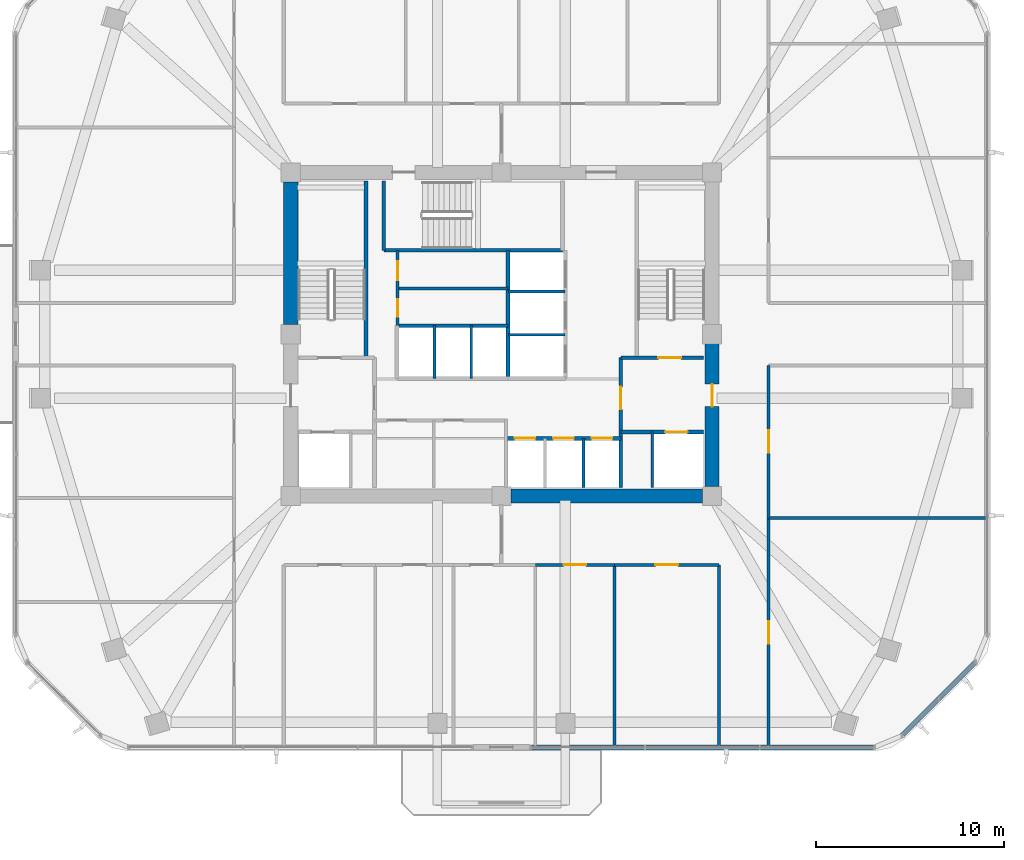
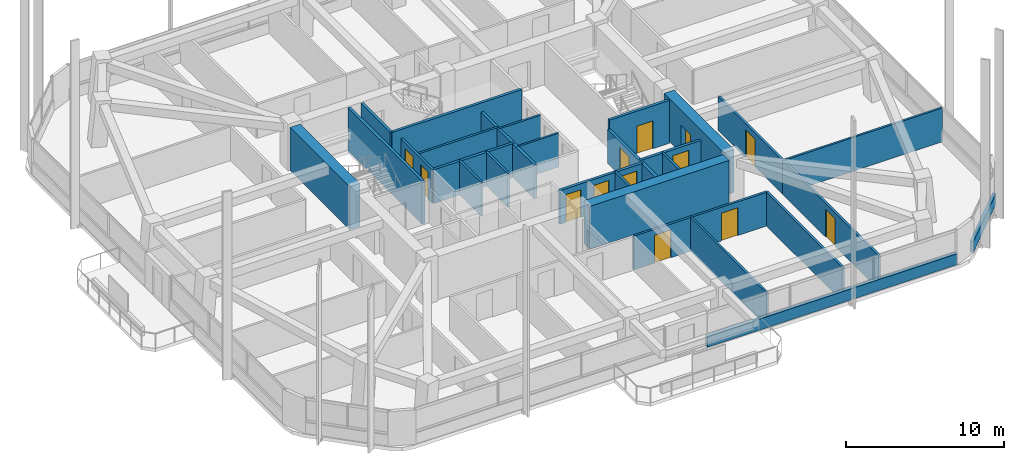
# One storey, part 9 of 15: 29 walls, 13 doors, 13 openings.
"""IFC4 building model written with IfcOpenShell, lengths in metres."""

import ifcopenshell
import ifcopenshell.guid

model = None  # the IFC model being written
_history = None  # IfcOwnerHistory: only IFC2X3 demands one
_inside = {}  # id of a spatial element -> (the spatial element, [elements in it])
_under = {}  # id of a project, library or spatial element -> (it, [spatial elements below it])
_declared = {}  # id of a project -> (the project, [libraries it declares])
_typed = {}  # id of a type object -> (the type object, [elements of that type])
_made_of = {}  # id of a material, layer set ... -> (it, [elements and type objects made of it])


def new_model(schema):
    """Start an empty IFC model of exactly this schema.

    Asked for "IFC4X3", IfcOpenShell would pick the latest addendum, in which some entities
    have other attributes; the version numbers below select the first issue.
    IFC2X3 requires an IfcOwnerHistory on every rooted entity: one is made here for all.
    """
    global model, _history
    if schema == "IFC4X3":
        model = ifcopenshell.file(schema_version=(4, 3, 0, 0))
    else:
        model = ifcopenshell.file(schema=schema)
    _inside.clear()
    _under.clear()
    _declared.clear()
    _typed.clear()
    _made_of.clear()
    _history = None
    if model.schema == "IFC2X3":
        org = make("IfcOrganization", Name="unknown")
        user = make(
            "IfcPersonAndOrganization",
            ThePerson=make("IfcPerson", FamilyName="unknown"),
            TheOrganization=org,
        )
        app = make(
            "IfcApplication",
            ApplicationDeveloper=org,
            Version="unknown",
            ApplicationFullName="unknown",
            ApplicationIdentifier="unknown",
        )
        _history = make(
            "IfcOwnerHistory",
            OwningUser=user,
            OwningApplication=app,
            ChangeAction="ADDED",
            CreationDate=0,
        )
    return model


def make(cls, **values):
    """One entity of the class cls with the attributes given. An attribute that is None is left unset."""
    return model.create_entity(
        cls, **{name: value for name, value in values.items() if value is not None}
    )


def rooted(cls, **values):
    """An entity with a GlobalId (a new one), such as an element, a storey or a relation."""
    return make(cls, GlobalId=ifcopenshell.guid.new(), OwnerHistory=_history, **values)


def si_unit(unit_type, name, prefix=None):
    """IfcSIUnit, for example si_unit("LENGTHUNIT", "METRE", prefix="MILLI")."""
    return make("IfcSIUnit", UnitType=unit_type, Prefix=prefix, Name=name)


def derived_unit(unit_type, elements):
    """IfcDerivedUnit: a product of units, each with its exponent."""
    return make(
        "IfcDerivedUnit",
        Elements=[
            make("IfcDerivedUnitElement", Unit=unit, Exponent=power)
            for unit, power in elements
        ],
        UnitType=unit_type,
    )


def assignment(units):
    """IfcUnitAssignment: the units of a project."""
    return None if units is None else make("IfcUnitAssignment", Units=units)


def point(xyz):
    """IfcCartesianPoint."""
    return None if xyz is None else make("IfcCartesianPoint", Coordinates=xyz)


def direction(xyz):
    """IfcDirection."""
    return None if xyz is None else make("IfcDirection", DirectionRatios=xyz)


def frame(location, z_axis=None, x_axis=None):
    """IfcAxis2Placement3D, a coordinate frame: its origin and axes. An axis left out is left unset."""
    return make(
        "IfcAxis2Placement3D",
        Location=point(location),
        Axis=direction(z_axis),
        RefDirection=direction(x_axis),
    )


def frame_2d(location, x_axis=None):
    """IfcAxis2Placement2D, a coordinate frame in the plane: its origin and x axis."""
    return make(
        "IfcAxis2Placement2D", Location=point(location), RefDirection=direction(x_axis)
    )


def origin():
    """The frame at (0, 0, 0) with its axes left unset."""
    return frame((0.0, 0.0, 0.0))


def place(relative_to, where):
    """IfcLocalPlacement: puts the frame where relative to a parent placement (None: the world)."""
    return make(
        "IfcLocalPlacement", PlacementRelTo=relative_to, RelativePlacement=where
    )


def context(
    kind, dimensions, precision=None, world=None, true_north=None, identifier=None
):
    """IfcGeometricRepresentationContext, for example the 3D "Model" context."""
    return make(
        "IfcGeometricRepresentationContext",
        ContextIdentifier=identifier,
        ContextType=kind,
        CoordinateSpaceDimension=dimensions,
        Precision=precision,
        WorldCoordinateSystem=world,
        TrueNorth=true_north,
    )


def subcontext(parent, identifier, kind, view, scale=None):
    """IfcGeometricRepresentationSubContext, for example "Body" below "Model"."""
    return make(
        "IfcGeometricRepresentationSubContext",
        ContextIdentifier=identifier,
        ContextType=kind,
        ParentContext=parent,
        TargetScale=scale,
        TargetView=view,
    )


def project(units=None, contexts=None):
    """IfcProject with its units and contexts."""
    return rooted(
        "IfcProject",
        Name="project",
        RepresentationContexts=contexts,
        UnitsInContext=assignment(units),
    )


def spatial(cls, under=None, at=None, **own):
    """A site, building, storey or space (cls), placed at a placement, below another one or the project."""
    s = rooted(cls, ObjectPlacement=at, **own)
    if under is not None:
        _under.setdefault(under.id(), (under, []))[1].append(s)
    return s


def profile(cls, at=None, kind="AREA", **sizes):
    """A parametric profile (cls). Its sizes go by their IFC names, for example OverallWidth=200.0."""
    return make(cls, ProfileType=kind, Position=at, **sizes)


def rectangle(**sizes):
    """IfcRectangleProfileDef."""
    return profile("IfcRectangleProfileDef", **sizes)


def extrude(swept, where, along, depth):
    """IfcExtrudedAreaSolid: the profile swept, set in the frame where, extruded along a direction by depth."""
    return make(
        "IfcExtrudedAreaSolid",
        SweptArea=swept,
        Position=where,
        ExtrudedDirection=direction(along),
        Depth=depth,
    )


def shape(context_of_items, identifier, shape_type, items):
    """IfcShapeRepresentation: the items that make up one representation, for example the "Body"."""
    return make(
        "IfcShapeRepresentation",
        ContextOfItems=context_of_items,
        RepresentationIdentifier=identifier,
        RepresentationType=shape_type,
        Items=items,
    )


def material(Name=None, Category=None):
    """IfcMaterial."""
    return make("IfcMaterial", Name=Name, Category=Category)


def layer(
    of_material, thickness, ventilated=None, Name=None, Category=None, Priority=None
):
    """IfcMaterialLayer: one layer of a wall or slab, of a material (None: an air gap)."""
    return make(
        "IfcMaterialLayer",
        Material=of_material,
        LayerThickness=thickness,
        IsVentilated=ventilated,
        Name=Name,
        Category=Category,
        Priority=Priority,
    )


def layer_set(layers, Name=None):
    """IfcMaterialLayerSet."""
    return make("IfcMaterialLayerSet", MaterialLayers=layers, LayerSetName=Name)


def made_of(thing, what):
    """Note that an element or type object is made of a material, layer set ...; save() writes the relation."""
    if what is not None:
        _made_of.setdefault(what.id(), (what, []))[1].append(thing)
    return thing


def type_object(cls, material=None, **own):
    """A type object (cls), such as IfcWallType, which elements share."""
    return made_of(rooted(cls, **own), material)


def element(
    cls,
    number,
    at=None,
    inside=None,
    cuts=None,
    type_object=None,
    material=None,
    context=None,
    identifier="Body",
    shape_type=None,
    held_by="IfcProductDefinitionShape",
    body=None,
    shapes=None,
    **own,
):
    """One element of the class cls, such as IfcWall. Its Tag is "e" and its number.

    at: its placement. inside: the storey or other place that contains it. cuts: it is an
    opening in that element (IfcRelVoidsElement). A single representation is given by context,
    identifier, shape_type and body (its items); several are given by shapes. held_by: the class
    of the entity that holds the representations. save() writes the other relations.
    """
    e = rooted(cls, Tag="e%d" % number, ObjectPlacement=at, **own)
    if body is not None:
        shapes = [shape(context, identifier, shape_type, body)]
    if shapes is not None:
        e.Representation = make(held_by, Representations=shapes)
    if inside is not None:
        _inside.setdefault(inside.id(), (inside, []))[1].append(e)
    if cuts is not None:
        rooted(
            "IfcRelVoidsElement", RelatingBuildingElement=cuts, RelatedOpeningElement=e
        )
    if type_object is not None:
        _typed.setdefault(type_object.id(), (type_object, []))[1].append(e)
    return made_of(e, material)


def fill(opening, filler):
    """IfcRelFillsElement: the door or window that sits in an opening."""
    return rooted(
        "IfcRelFillsElement",
        RelatingOpeningElement=opening,
        RelatedBuildingElement=filler,
    )


def aggregate(whole, parts):
    """IfcRelAggregates: a whole, such as a stair, and the parts it consists of."""
    return rooted("IfcRelAggregates", RelatingObject=whole, RelatedObjects=parts)


def save(model, path):
    """Write the relations noted so far, then the file.

    IfcRelAggregates (storeys below a building ...), IfcRelContainedInSpatialStructure (elements
    in a storey), IfcRelDefinesByType, IfcRelAssociatesMaterial and IfcRelDeclares: one each for
    every whole, place, type object, material and project.
    """
    for whole, parts in _under.values():
        aggregate(whole, parts)
    for where, things in _inside.values():
        rooted(
            "IfcRelContainedInSpatialStructure",
            RelatedElements=things,
            RelatingStructure=where,
        )
    for kind, things in _typed.values():
        rooted("IfcRelDefinesByType", RelatedObjects=things, RelatingType=kind)
    for what, things in _made_of.values():
        rooted("IfcRelAssociatesMaterial", RelatedObjects=things, RelatingMaterial=what)
    for by, libraries in _declared.values():
        rooted("IfcRelDeclares", RelatingContext=by, RelatedDefinitions=libraries)
    model.write(path)


model = new_model("IFC4")

# Units and contexts
model_context = context("Model", 3, precision=1e-05, world=origin(), true_north=direction((0.0, 1.0)))
body_context = subcontext(model_context, "Body", "Model", "MODEL_VIEW")
ifc_project = project(units=[si_unit("LENGTHUNIT", "METRE"), si_unit("AREAUNIT", "SQUARE_METRE"), si_unit("VOLUMEUNIT", "CUBIC_METRE"), si_unit("PLANEANGLEUNIT", "RADIAN"), si_unit("MASSUNIT", "GRAM", prefix="KILO"), derived_unit("THERMALTRANSMITTANCEUNIT", [(si_unit("POWERUNIT", "WATT"), 1), (si_unit("LENGTHUNIT", "METRE"), -2), (si_unit("THERMODYNAMICTEMPERATUREUNIT", "KELVIN"), -1)])], contexts=[model_context])

# Site, building, storey
site_placement = place(None, origin())
site = spatial("IfcSite", under=ifc_project, at=site_placement, CompositionType="ELEMENT")
building_placement = place(site_placement, origin())
building = spatial("IfcBuilding", under=site, at=building_placement, Name="Koralith Skygarden Medical Center", CompositionType="ELEMENT")
storey_placement = place(building_placement, frame((0.0, 0.0, 99.179931640625)))
storey = spatial("IfcBuildingStorey", under=building, at=storey_placement, Name="L25", CompositionType="ELEMENT", Elevation=99.179931640625)

# Walls
ifc_material_1 = material(Name="Gypsum Board Partition")
ifc_layer_1 = layer(ifc_material_1, 0.14990234375)
ifc_layer_set_1 = layer_set([ifc_layer_1], Name="Gypsum Board Partition")
wall_type_1 = type_object("IfcWallType", Name="Clinical Acoustic Partition 150", PredefinedType="PARTITIONING", material=ifc_layer_set_1)
wall_1_placement = place(storey_placement, frame((43.010986328125, 13.639892578125, 0.0), z_axis=(0.0, 0.0, 1.0), x_axis=(0.0, -1.0, 0.0)))
element("IfcWall", 1, at=wall_1_placement, inside=storey, type_object=wall_type_1, Name="L25 Clinical Acoustic Partition 150 W-PART-L25-S-04", PredefinedType="PARTITIONING", context=body_context, shape_type="SweptSolid", body=[
    extrude(rectangle(XDim=9.6748046875, YDim=0.14990234375, at=frame_2d((4.83740234375, 0.0))), origin(), (0.0, 0.0, 1.0), 2.610107421875),
])
wall_2_placement = place(storey_placement, frame((51.2099609375, 16.1298828125, 0.0), z_axis=(0.0, 0.0, 1.0), x_axis=(1.0, 0.0, 0.0)))
element("IfcWall", 2, at=wall_2_placement, inside=storey, type_object=wall_type_1, Name="L25 Clinical Acoustic Partition 150 W-PART-L25-ES-01", PredefinedType="PARTITIONING", context=body_context, shape_type="SweptSolid", body=[
    extrude(rectangle(XDim=11.5830078125, YDim=0.14990234375, at=frame_2d((5.79150390625, 0.0))), origin(), (0.0, 0.0, 1.0), 2.610107421875),
])
ifc_layer_2 = layer(ifc_material_1, 0.1650390625)
ifc_layer_set_2 = layer_set([ifc_layer_2], Name="Gypsum Board Partition")
wall_type_2 = type_object("IfcWallType", Name="Clinical Corridor Partition 165", PredefinedType="PARTITIONING", material=ifc_layer_set_2)
wall_3_placement = place(storey_placement, frame((48.570068359375, 3.965087890625, 0.0), z_axis=(0.0, 0.0, 1.0), x_axis=(0.0, 1.0, 0.0)))
element("IfcWall", 3, at=wall_3_placement, inside=storey, type_object=wall_type_2, Name="L25 Clinical Corridor Partition 165 W-HCOR-L25-SE", PredefinedType="PARTITIONING", context=body_context, shape_type="SweptSolid", body=[
    extrude(rectangle(XDim=9.6748046875, YDim=0.1650390625, at=frame_2d((4.83740234375, 0.0))), origin(), (0.0, 0.0, 1.0), 2.610107421875),
])

# Wall, opening, door
wall_4_placement = place(storey_placement, frame((38.800048828125, 13.639892578125, 0.0), z_axis=(0.0, 0.0, 1.0), x_axis=(1.0, 0.0, 0.0)))
wall_4 = element("IfcWall", 4, at=wall_4_placement, inside=storey, type_object=wall_type_2, Name="L25 Clinical Corridor Partition 165 W-CORR-L25-S-04", PredefinedType="PARTITIONING", context=body_context, shape_type="SweptSolid", body=[
    extrude(rectangle(XDim=4.2109375, YDim=0.1650390625, at=frame_2d((2.10546875, 0.0))), origin(), (0.0, 0.0, 1.0), 2.610107421875),
])
opening_1_placement = place(wall_4_placement, frame((1.506103515625, 0.0, 0.0)))
opening_1 = element("IfcOpeningElement", 5, at=opening_1_placement, cuts=wall_4, Name="Opening D-CLN", PredefinedType="OPENING", context=body_context, shape_type="SweptSolid", body=[
    extrude(rectangle(XDim=1.199951171875, YDim=2.14990234375, at=frame_2d((0.60009765625, 1.074951171875))), frame((0.0, 0.092529296875, 0.0), z_axis=(0.0, -1.0, 0.0), x_axis=(1.0, 0.0, 0.0)), (0.0, 0.0, 1.0), 0.18505859375),
])
ifc_material_2 = material(Name="Aluminium 6063-T6", Category="aluminium")
door_type_1 = type_object("IfcDoorType", Name="Clinical Corridor Door D-CLN 1200", OperationType="NOTDEFINED", PredefinedType="DOOR", material=ifc_material_2)
door_1_placement = place(opening_1_placement, frame((1.199951171875, 0.0, 0.0), z_axis=(0.0, 0.0, 1.0), x_axis=(-1.0, 0.0, 0.0)))
door_1 = element("IfcDoor", 6, at=door_1_placement, inside=storey, type_object=door_type_1, Name="L25 Family Nourishment Pantry 08 Door", OperationType="SINGLE_SWING_LEFT", OverallHeight=2.14990234375, OverallWidth=1.199951171875, PredefinedType="DOOR", context=body_context, shape_type="SweptSolid", body=[
    extrude(rectangle(XDim=1.199951171875, YDim=2.14990234375, at=frame_2d((0.60009765625, 1.074951171875))), frame((0.0, 0.02490234375, 0.0), z_axis=(0.0, -1.0, 0.0), x_axis=(1.0, 0.0, 0.0)), (0.0, 0.0, 1.0), 0.050048828125),
])
fill(opening_1, door_1)

wall_5_placement = place(storey_placement, frame((43.010986328125, 13.639892578125, 0.0), z_axis=(0.0, 0.0, 1.0), x_axis=(1.0, 0.0, 0.0)))
wall_5 = element("IfcWall", 7, at=wall_5_placement, inside=storey, type_object=wall_type_2, Name="L25 Clinical Corridor Partition 165 W-CORR-L25-S-05", PredefinedType="PARTITIONING", context=body_context, shape_type="SweptSolid", body=[
    extrude(rectangle(XDim=5.55908203125, YDim=0.1650390625, at=frame_2d((2.779541015625, 0.0))), origin(), (0.0, 0.0, 1.0), 2.610107421875),
])
opening_2_placement = place(wall_5_placement, frame((2.178955078125, 0.0, 0.0)))
opening_2 = element("IfcOpeningElement", 8, at=opening_2_placement, cuts=wall_5, Name="Opening D-CLN", PredefinedType="OPENING", context=body_context, shape_type="SweptSolid", body=[
    extrude(rectangle(XDim=1.199951171875, YDim=2.14990234375, at=frame_2d((0.60009765625, 1.074951171875))), frame((0.0, 0.092529296875, 0.0), z_axis=(0.0, -1.0, 0.0), x_axis=(1.0, 0.0, 0.0)), (0.0, 0.0, 1.0), 0.18505859375),
])
door_2_placement = place(opening_2_placement, frame((1.199951171875, 0.0, 0.0), z_axis=(0.0, 0.0, 1.0), x_axis=(-1.0, 0.0, 0.0)))
door_2 = element("IfcDoor", 9, at=door_2_placement, inside=storey, type_object=door_type_1, Name="L25 Pastoral Counseling Office 09 Door", OperationType="SINGLE_SWING_RIGHT", OverallHeight=2.14990234375, OverallWidth=1.199951171875, PredefinedType="DOOR", context=body_context, shape_type="SweptSolid", body=[
    extrude(rectangle(XDim=1.199951171875, YDim=2.14990234375, at=frame_2d((0.60009765625, 1.074951171875))), frame((0.0, 0.02490234375, 0.0), z_axis=(0.0, -1.0, 0.0), x_axis=(1.0, 0.0, 0.0)), (0.0, 0.0, 1.0), 0.050048828125),
])
fill(opening_2, door_2)

wall_6_placement = place(storey_placement, frame((51.2099609375, 3.965087890625, 0.0), z_axis=(0.0, 0.0, 1.0), x_axis=(0.0, 1.0, 0.0)))
wall_6 = element("IfcWall", 10, at=wall_6_placement, inside=storey, type_object=wall_type_2, Name="L25 Clinical Corridor Partition 165 W-CORR-L25-ES-01", PredefinedType="PARTITIONING", context=body_context, shape_type="SweptSolid", body=[
    extrude(rectangle(XDim=12.164794921875, YDim=0.1650390625, at=frame_2d((6.08251953125, 0.0))), origin(), (0.0, 0.0, 1.0), 2.610107421875),
])
opening_3_placement = place(wall_6_placement, frame((5.48193359375, 0.0, 0.0)))
opening_3 = element("IfcOpeningElement", 11, at=opening_3_placement, cuts=wall_6, Name="Opening D-CLN", PredefinedType="OPENING", context=body_context, shape_type="SweptSolid", body=[
    extrude(rectangle(XDim=1.199951171875, YDim=2.14990234375, at=frame_2d((0.60009765625, 1.074951171875))), frame((0.0, 0.092529296875, 0.0), z_axis=(0.0, -1.0, 0.0), x_axis=(1.0, 0.0, 0.0)), (0.0, 0.0, 1.0), 0.18505859375),
])
door_3_placement = place(opening_3_placement, origin())
door_3 = element("IfcDoor", 12, at=door_3_placement, inside=storey, type_object=door_type_1, Name="L25 Bereavement Sitting Room 15 Door", OperationType="SINGLE_SWING_RIGHT", OverallHeight=2.14990234375, OverallWidth=1.199951171875, PredefinedType="DOOR", context=body_context, shape_type="SweptSolid", body=[
    extrude(rectangle(XDim=1.199951171875, YDim=2.14990234375, at=frame_2d((0.60009765625, 1.074951171875))), frame((0.0, 0.02490234375, 0.0), z_axis=(0.0, -1.0, 0.0), x_axis=(1.0, 0.0, 0.0)), (0.0, 0.0, 1.0), 0.050048828125),
])
fill(opening_3, door_3)

wall_7_placement = place(storey_placement, frame((51.2099609375, 16.1298828125, 0.0), z_axis=(0.0, 0.0, 1.0), x_axis=(0.0, 1.0, 0.0)))
wall_7 = element("IfcWall", 13, at=wall_7_placement, inside=storey, type_object=wall_type_2, Name="L25 Clinical Corridor Partition 165 W-CORR-L25-ES-02", PredefinedType="PARTITIONING", context=body_context, shape_type="SweptSolid", body=[
    extrude(rectangle(XDim=8.110107421875, YDim=0.1650390625, at=frame_2d((4.05517578125, 0.0))), origin(), (0.0, 0.0, 1.0), 2.610107421875),
])
opening_4_placement = place(wall_7_placement, frame((3.455078125, 0.0, 0.0)))
opening_4 = element("IfcOpeningElement", 14, at=opening_4_placement, cuts=wall_7, Name="Opening D-CLN", PredefinedType="OPENING", context=body_context, shape_type="SweptSolid", body=[
    extrude(rectangle(XDim=1.199951171875, YDim=2.14990234375, at=frame_2d((0.60009765625, 1.074951171875))), frame((0.0, 0.092529296875, 0.0), z_axis=(0.0, -1.0, 0.0), x_axis=(1.0, 0.0, 0.0)), (0.0, 0.0, 1.0), 0.18505859375),
])
door_4_placement = place(opening_4_placement, origin())
door_4 = element("IfcDoor", 15, at=door_4_placement, inside=storey, type_object=door_type_1, Name="L25 Family Nourishment Pantry 16 Door", OperationType="SINGLE_SWING_LEFT", OverallHeight=2.14990234375, OverallWidth=1.199951171875, PredefinedType="DOOR", context=body_context, shape_type="SweptSolid", body=[
    extrude(rectangle(XDim=1.199951171875, YDim=2.14990234375, at=frame_2d((0.60009765625, 1.074951171875))), frame((0.0, 0.02490234375, 0.0), z_axis=(0.0, -1.0, 0.0), x_axis=(1.0, 0.0, 0.0)), (0.0, 0.0, 1.0), 0.050048828125),
])
fill(opening_4, door_4)

ifc_layer_3 = layer(ifc_material_1, 0.199951171875)
ifc_layer_set_3 = layer_set([ifc_layer_3], Name="Gypsum Board Partition")
wall_type_3 = type_object("IfcWallType", Name="Fire Shaft Wall 200", PredefinedType="SOLIDWALL", material=ifc_layer_set_3)
wall_8_placement = place(storey_placement, frame((43.35009765625, 20.699951171875, 0.0), z_axis=(0.0, 0.0, 1.0), x_axis=(1.0, 0.0, 0.0)))
wall_8 = element("IfcWall", 16, at=wall_8_placement, inside=storey, type_object=wall_type_3, Name="L25 Fire Shaft Wall 200 W-CORE-L25-FF2-N", PredefinedType="SOLIDWALL", context=body_context, shape_type="SweptSolid", body=[
    extrude(rectangle(XDim=4.39990234375, YDim=0.199951171875, at=frame_2d((2.199951171875, 0.0))), origin(), (0.0, 0.0, 1.0), 2.610107421875),
])
opening_5_placement = place(wall_8_placement, frame((2.35009765625, 0.0, 0.0)))
opening_5 = element("IfcOpeningElement", 17, at=opening_5_placement, cuts=wall_8, Name="Opening LD-FF", PredefinedType="OPENING", context=body_context, shape_type="SweptSolid", body=[
    extrude(rectangle(XDim=1.199951171875, YDim=2.14990234375, at=frame_2d((0.60009765625, 1.074951171875))), frame((0.0, 0.10986328125, 0.0), z_axis=(0.0, -1.0, 0.0), x_axis=(1.0, 0.0, 0.0)), (0.0, 0.0, 1.0), 0.219970703125),
])
ifc_material_3 = material(Name="Steel ASTM A500 Grade C", Category="steel")
door_type_2 = type_object("IfcDoorType", Name="Fire Lift Sliding Landing Door LD-FF 1200", OperationType="NOTDEFINED", PredefinedType="DOOR", material=ifc_material_3)
door_5_placement = place(opening_5_placement, origin())
door_5 = element("IfcDoor", 18, at=door_5_placement, inside=storey, type_object=door_type_2, Name="L25 Fire Service Elevator FF2 Landing Door", OperationType="SLIDING_TO_RIGHT", OverallHeight=2.14990234375, OverallWidth=1.199951171875, PredefinedType="DOOR", context=body_context, shape_type="SweptSolid", body=[
    extrude(rectangle(XDim=1.199951171875, YDim=2.14990234375, at=frame_2d((0.60009765625, 1.074951171875))), frame((0.0, 0.02490234375, 0.0), z_axis=(0.0, -1.0, 0.0), x_axis=(1.0, 0.0, 0.0)), (0.0, 0.0, 1.0), 0.050048828125),
])
fill(opening_5, door_5)

wall_9_placement = place(storey_placement, frame((43.35009765625, 17.75, 0.0), z_axis=(0.0, 0.0, 1.0), x_axis=(0.0, 1.0, 0.0)))
wall_9 = element("IfcWall", 19, at=wall_9_placement, inside=storey, type_object=wall_type_3, Name="L25 Fire Shaft Wall 200 W-CORE-L25-FSAEE-W", PredefinedType="SOLIDWALL", context=body_context, shape_type="SweptSolid", body=[
    extrude(rectangle(XDim=6.89990234375, YDim=0.199951171875, at=frame_2d((3.449951171875, 0.0))), origin(), (0.0, 0.0, 1.0), 2.610107421875),
])
opening_6_placement = place(wall_9_placement, frame((4.14990234375, 0.0, 0.0)))
opening_6 = element("IfcOpeningElement", 20, at=opening_6_placement, cuts=wall_9, Name="Opening D-ST60", PredefinedType="OPENING", context=body_context, shape_type="SweptSolid", body=[
    extrude(rectangle(XDim=1.199951171875, YDim=2.14990234375, at=frame_2d((0.60009765625, 1.074951171875))), frame((0.0, 0.10986328125, 0.0), z_axis=(0.0, -1.0, 0.0), x_axis=(1.0, 0.0, 0.0)), (0.0, 0.0, 1.0), 0.219970703125),
])
door_type_3 = type_object("IfcDoorType", Name="Smokeproof Stair Fire Door FD60S 1200", OperationType="NOTDEFINED", PredefinedType="DOOR", material=ifc_material_3)
door_6_placement = place(opening_6_placement, frame((1.199951171875, 0.0, 0.0), z_axis=(0.0, 0.0, 1.0), x_axis=(-1.0, 0.0, 0.0)))
door_6 = element("IfcDoor", 21, at=door_6_placement, inside=storey, type_object=door_type_3, Name="L25 East Firefighting Lobby Inner Fire Door", OperationType="SINGLE_SWING_RIGHT", OverallHeight=2.14990234375, OverallWidth=1.199951171875, PredefinedType="DOOR", context=body_context, shape_type="SweptSolid", body=[
    extrude(rectangle(XDim=1.199951171875, YDim=2.14990234375, at=frame_2d((0.60009765625, 1.074951171875))), frame((0.0, 0.02490234375, 0.0), z_axis=(0.0, -1.0, 0.0), x_axis=(1.0, 0.0, 0.0)), (0.0, 0.0, 1.0), 0.050048828125),
])
fill(opening_6, door_6)

# Wall, openings, doors
wall_10_placement = place(storey_placement, frame((37.25, 20.360107421875, 0.0), z_axis=(0.0, 0.0, 1.0), x_axis=(1.0, 0.0, 0.0)))
wall_10 = element("IfcWall", 22, at=wall_10_placement, inside=storey, type_object=wall_type_3, Name="L25 Fire Shaft Wall 200 W-CORE-L25-PM-N", PredefinedType="SOLIDWALL", context=body_context, shape_type="SweptSolid", body=[
    extrude(rectangle(XDim=6.10009765625, YDim=0.199951171875, at=frame_2d((3.050048828125, 0.0))), origin(), (0.0, 0.0, 1.0), 2.610107421875),
])
opening_7_placement = place(wall_10_placement, frame((0.449951171875, 0.0, 0.0)))
opening_7 = element("IfcOpeningElement", 23, at=opening_7_placement, cuts=wall_10, Name="Opening LD-P", PredefinedType="OPENING", context=body_context, shape_type="SweptSolid", body=[
    extrude(rectangle(XDim=1.10009765625, YDim=2.14990234375, at=frame_2d((0.550048828125, 1.074951171875))), frame((0.0, 0.10986328125, 0.0), z_axis=(0.0, -1.0, 0.0), x_axis=(1.0, 0.0, 0.0)), (0.0, 0.0, 1.0), 0.219970703125),
])
opening_8_placement = place(wall_10_placement, frame((2.5, 0.0, 0.0)))
opening_8 = element("IfcOpeningElement", 24, at=opening_8_placement, cuts=wall_10, Name="Opening LD-P", PredefinedType="OPENING", context=body_context, shape_type="SweptSolid", body=[
    extrude(rectangle(XDim=1.10009765625, YDim=2.14990234375, at=frame_2d((0.550048828125, 1.074951171875))), frame((0.0, 0.10986328125, 0.0), z_axis=(0.0, -1.0, 0.0), x_axis=(1.0, 0.0, 0.0)), (0.0, 0.0, 1.0), 0.219970703125),
])
opening_9_placement = place(wall_10_placement, frame((4.550048828125, 0.0, 0.0)))
opening_9 = element("IfcOpeningElement", 25, at=opening_9_placement, cuts=wall_10, Name="Opening LD-P", PredefinedType="OPENING", context=body_context, shape_type="SweptSolid", body=[
    extrude(rectangle(XDim=1.10009765625, YDim=2.14990234375, at=frame_2d((0.550048828125, 1.074951171875))), frame((0.0, 0.10986328125, 0.0), z_axis=(0.0, -1.0, 0.0), x_axis=(1.0, 0.0, 0.0)), (0.0, 0.0, 1.0), 0.219970703125),
])
door_type_4 = type_object("IfcDoorType", Name="Passenger Lift Sliding Landing Door LD-P 1100", OperationType="NOTDEFINED", PredefinedType="DOOR", material=ifc_material_3)
door_7_placement = place(opening_7_placement, origin())
door_7 = element("IfcDoor", 26, at=door_7_placement, inside=storey, type_object=door_type_4, Name="L25 Passenger Elevator PM1 Landing Door", OperationType="SLIDING_TO_LEFT", OverallHeight=2.14990234375, OverallWidth=1.10009765625, PredefinedType="DOOR", context=body_context, shape_type="SweptSolid", body=[
    extrude(rectangle(XDim=1.10009765625, YDim=2.14990234375, at=frame_2d((0.550048828125, 1.074951171875))), frame((0.0, 0.02490234375, 0.0), z_axis=(0.0, -1.0, 0.0), x_axis=(1.0, 0.0, 0.0)), (0.0, 0.0, 1.0), 0.050048828125),
])
fill(opening_7, door_7)
door_8_placement = place(opening_8_placement, origin())
door_8 = element("IfcDoor", 27, at=door_8_placement, inside=storey, type_object=door_type_4, Name="L25 Passenger Elevator PM2 Landing Door", OperationType="SLIDING_TO_LEFT", OverallHeight=2.14990234375, OverallWidth=1.10009765625, PredefinedType="DOOR", context=body_context, shape_type="SweptSolid", body=[
    extrude(rectangle(XDim=1.10009765625, YDim=2.14990234375, at=frame_2d((0.550048828125, 1.074951171875))), frame((0.0, 0.02490234375, 0.0), z_axis=(0.0, -1.0, 0.0), x_axis=(1.0, 0.0, 0.0)), (0.0, 0.0, 1.0), 0.050048828125),
])
fill(opening_8, door_8)
door_9_placement = place(opening_9_placement, origin())
door_9 = element("IfcDoor", 28, at=door_9_placement, inside=storey, type_object=door_type_4, Name="L25 Passenger Elevator PM3 Landing Door", OperationType="SLIDING_TO_LEFT", OverallHeight=2.14990234375, OverallWidth=1.10009765625, PredefinedType="DOOR", context=body_context, shape_type="SweptSolid", body=[
    extrude(rectangle(XDim=1.10009765625, YDim=2.14990234375, at=frame_2d((0.550048828125, 1.074951171875))), frame((0.0, 0.02490234375, 0.0), z_axis=(0.0, -1.0, 0.0), x_axis=(1.0, 0.0, 0.0)), (0.0, 0.0, 1.0), 0.050048828125),
])
fill(opening_9, door_9)

# Walls
wall_11_placement = place(storey_placement, frame((31.449951171875, 26.35009765625, 0.0), z_axis=(0.0, 0.0, 1.0), x_axis=(1.0, 0.0, 0.0)))
element("IfcWall", 29, at=wall_11_placement, inside=storey, type_object=wall_type_3, Name="L25 Fire Shaft Wall 200 W-CORE-L25-PH-N", PredefinedType="SOLIDWALL", context=body_context, shape_type="SweptSolid", body=[
    extrude(rectangle(XDim=5.900146484375, YDim=0.199951171875, at=frame_2d((2.9501953125, 0.0))), origin(), (0.0, 0.0, 1.0), 2.610107421875),
])
wall_12_placement = place(storey_placement, frame((37.35009765625, 23.5400390625, 0.0), z_axis=(0.0, 0.0, 1.0), x_axis=(0.0, 1.0, 0.0)))
element("IfcWall", 30, at=wall_12_placement, inside=storey, type_object=wall_type_3, Name="L25 Fire Shaft Wall 200 W-CORE-L25-SV-W", PredefinedType="SOLIDWALL", context=body_context, shape_type="SweptSolid", body=[
    extrude(rectangle(XDim=6.820068359375, YDim=0.199951171875, at=frame_2d((3.41015625, 0.0))), origin(), (0.0, 0.0, 1.0), 2.610107421875),
])
ifc_material_4 = material(Name="Warm Oolitic Limestone Cladding", Category="masonry")
ifc_layer_4 = layer(ifc_material_4, 0.239990234375)
ifc_layer_set_4 = layer_set([ifc_layer_4], Name="Warm Oolitic Limestone Cladding")
wall_type_4 = type_object("IfcWallType", Name="Limestone Spandrel Sill Backup Wall 240", PredefinedType="SOLIDWALL", material=ifc_layer_set_4)
wall_13_placement = place(storey_placement, frame((38.5390625, 3.945068359375, 0.0), z_axis=(0.0, 0.0, 1.0), x_axis=(1.0, 0.0, 0.0)))
element("IfcWall", 31, at=wall_13_placement, inside=storey, type_object=wall_type_4, Name="L25 Sill Spandrel S-R", PredefinedType="SOLIDWALL", context=body_context, shape_type="SweptSolid", body=[
    extrude(rectangle(XDim=18.298828125, YDim=0.239990234375, at=frame_2d((9.1494140625, 0.0))), origin(), (0.0, 0.0, 1.0), 0.85009765625),
])
wall_14_placement = place(storey_placement, frame((58.2890625, 4.547119140625, 0.0), z_axis=(0.0, 0.0, 1.0), x_axis=(0.707106781187, 0.707106781187, 0.0)))
element("IfcWall", 32, at=wall_14_placement, inside=storey, type_object=wall_type_4, Name="L25 Sill Spandrel SE", PredefinedType="SOLIDWALL", context=body_context, shape_type="SweptSolid", body=[
    extrude(rectangle(XDim=5.5478515625, YDim=0.239990234375, at=frame_2d((2.77392578125, 0.0))), origin(), (0.0, 0.0, 1.0), 0.85009765625),
])
ifc_material_5 = material(Name="Concrete C70/85", Category="concrete")
ifc_layer_5 = layer(ifc_material_5, 0.75)
ifc_layer_set_5 = layer_set([ifc_layer_5], Name="Concrete C70/85")
wall_type_5 = type_object("IfcWallType", Name="Mid Core Shear Wall 750", PredefinedType="SHEAR", material=ifc_layer_set_5)
wall_15_placement = place(storey_placement, frame((37.5048828125, 17.300048828125, 0.0), z_axis=(0.0, 0.0, 1.0), x_axis=(1.0, 0.0, 0.0)))
element("IfcWall", 33, at=wall_15_placement, inside=storey, type_object=wall_type_5, Name="L25 Core Shear Wall Segment 2", PredefinedType="SHEAR", context=body_context, shape_type="SweptSolid", body=[
    extrude(rectangle(XDim=10.190185546875, YDim=0.75, at=frame_2d((5.09521484375, 0.0))), origin(), (0.0, 0.0, 1.0), 3.320068359375),
])

# Wall, opening, door
wall_16_placement = place(storey_placement, frame((48.199951171875, 17.804931640625, 0.0), z_axis=(0.0, 0.0, 1.0), x_axis=(0.0, 1.0, 0.0)))
wall_16 = element("IfcWall", 34, at=wall_16_placement, inside=storey, type_object=wall_type_5, Name="L25 Core Shear Wall Segment 3", PredefinedType="SHEAR", context=body_context, shape_type="SweptSolid", body=[
    extrude(rectangle(XDim=7.590087890625, YDim=0.75, at=frame_2d((3.794921875, 0.0))), origin(), (0.0, 0.0, 1.0), 3.320068359375),
])
opening_10_placement = place(wall_16_placement, frame((4.2451171875, 0.0, 0.0)))
opening_10 = element("IfcOpeningElement", 35, at=opening_10_placement, cuts=wall_16, Name="Opening D-ST60", PredefinedType="OPENING", context=body_context, shape_type="SweptSolid", body=[
    extrude(rectangle(XDim=1.199951171875, YDim=2.14990234375, at=frame_2d((0.60009765625, 1.074951171875))), frame((0.0, 0.385009765625, 0.0), z_axis=(0.0, -1.0, 0.0), x_axis=(1.0, 0.0, 0.0)), (0.0, 0.0, 1.0), 0.77001953125),
])
door_10_placement = place(opening_10_placement, frame((1.199951171875, 0.0, 0.0), z_axis=(0.0, 0.0, 1.0), x_axis=(-1.0, 0.0, 0.0)))
door_10 = element("IfcDoor", 36, at=door_10_placement, inside=storey, type_object=door_type_3, Name="L25 East Corridor to Firefighting Lobby Door", OperationType="SINGLE_SWING_RIGHT", OverallHeight=2.14990234375, OverallWidth=1.199951171875, PredefinedType="DOOR", context=body_context, shape_type="SweptSolid", body=[
    extrude(rectangle(XDim=1.199951171875, YDim=2.14990234375, at=frame_2d((0.60009765625, 1.074951171875))), frame((0.0, 0.02490234375, 0.0), z_axis=(0.0, -1.0, 0.0), x_axis=(1.0, 0.0, 0.0)), (0.0, 0.0, 1.0), 0.050048828125),
])
fill(opening_10, door_10)

# Wall
wall_17_placement = place(storey_placement, frame((25.800048828125, 33.9951171875, 0.0), z_axis=(0.0, 0.0, 1.0), x_axis=(0.0, -1.0, 0.0)))
element("IfcWall", 37, at=wall_17_placement, inside=storey, type_object=wall_type_5, Name="L25 Core Shear Wall Segment 7", PredefinedType="SHEAR", context=body_context, shape_type="SweptSolid", body=[
    extrude(rectangle(XDim=7.590087890625, YDim=0.75, at=frame_2d((3.794921875, 0.0))), origin(), (0.0, 0.0, 1.0), 3.320068359375),
])

# Wall, openings, doors
ifc_layer_6 = layer(ifc_material_1, 0.1650390625)
ifc_layer_set_6 = layer_set([ifc_layer_6], Name="Gypsum Board Partition")
wall_type_6 = type_object("IfcWallType", Name="Plumbing Wet Wall 165", PredefinedType="PLUMBINGWALL", material=ifc_layer_set_6)
wall_18_placement = place(storey_placement, frame((31.47998046875, 26.320068359375, 0.0), z_axis=(0.0, 0.0, 1.0), x_axis=(0.0, 1.0, 0.0)))
wall_18 = element("IfcWall", 38, at=wall_18_placement, inside=storey, type_object=wall_type_6, Name="L25 Plumbing Wet Wall 165 W-CORE-L25-FLEX-W", PredefinedType="PLUMBINGWALL", context=body_context, shape_type="SweptSolid", body=[
    extrude(rectangle(XDim=4.0400390625, YDim=0.1650390625, at=frame_2d((2.02001953125, 0.0))), origin(), (0.0, 0.0, 1.0), 2.610107421875),
])
opening_11_placement = place(wall_18_placement, frame((0.5, 0.0, 0.0)))
opening_11 = element("IfcOpeningElement", 39, at=opening_11_placement, cuts=wall_18, Name="Opening D-WC", PredefinedType="OPENING", context=body_context, shape_type="SweptSolid", body=[
    extrude(rectangle(XDim=0.949951171875, YDim=2.10009765625, at=frame_2d((0.47509765625, 1.050048828125))), frame((0.0, 0.092529296875, 0.0), z_axis=(0.0, -1.0, 0.0), x_axis=(1.0, 0.0, 0.0)), (0.0, 0.0, 1.0), 0.18505859375),
])
opening_12_placement = place(wall_18_placement, frame((2.449951171875, 0.0, 0.0)))
opening_12 = element("IfcOpeningElement", 40, at=opening_12_placement, cuts=wall_18, Name="Opening D-SUP", PredefinedType="OPENING", context=body_context, shape_type="SweptSolid", body=[
    extrude(rectangle(XDim=1.0, YDim=2.14990234375, at=frame_2d((0.5, 1.074951171875))), frame((0.0, 0.092529296875, 0.0), z_axis=(0.0, -1.0, 0.0), x_axis=(1.0, 0.0, 0.0)), (0.0, 0.0, 1.0), 0.18505859375),
])
door_type_5 = type_object("IfcDoorType", Name="Accessible Toilet Door D-WC 950", OperationType="NOTDEFINED", PredefinedType="DOOR", material=ifc_material_2)
door_11_placement = place(opening_11_placement, frame((0.949951171875, 0.0, 0.0), z_axis=(0.0, 0.0, 1.0), x_axis=(-1.0, 0.0, 0.0)))
door_11 = element("IfcDoor", 41, at=door_11_placement, inside=storey, type_object=door_type_5, Name="L25 Core Accessible WC Door", OperationType="SINGLE_SWING_LEFT", OverallHeight=2.10009765625, OverallWidth=0.949951171875, PredefinedType="DOOR", context=body_context, shape_type="SweptSolid", body=[
    extrude(rectangle(XDim=0.949951171875, YDim=2.10009765625, at=frame_2d((0.47509765625, 1.050048828125))), frame((0.0, 0.02490234375, 0.0), z_axis=(0.0, -1.0, 0.0), x_axis=(1.0, 0.0, 0.0)), (0.0, 0.0, 1.0), 0.050048828125),
])
fill(opening_11, door_11)
door_type_6 = type_object("IfcDoorType", Name="Clinical Support Door D-SUP 1000", OperationType="NOTDEFINED", PredefinedType="DOOR", material=ifc_material_2)
door_12_placement = place(opening_12_placement, frame((1.0, 0.0, 0.0), z_axis=(0.0, 0.0, 1.0), x_axis=(-1.0, 0.0, 0.0)))
door_12 = element("IfcDoor", 42, at=door_12_placement, inside=storey, type_object=door_type_6, Name="L25 Core Clean Utility Door", OperationType="SINGLE_SWING_RIGHT", OverallHeight=2.14990234375, OverallWidth=1.0, PredefinedType="DOOR", context=body_context, shape_type="SweptSolid", body=[
    extrude(rectangle(XDim=1.0, YDim=2.14990234375, at=frame_2d((0.5, 1.074951171875))), frame((0.0, 0.02490234375, 0.0), z_axis=(0.0, -1.0, 0.0), x_axis=(1.0, 0.0, 0.0)), (0.0, 0.0, 1.0), 0.050048828125),
])
fill(opening_12, door_12)

# Walls
wall_19_placement = place(storey_placement, frame((31.47998046875, 28.340087890625, 0.0), z_axis=(0.0, 0.0, 1.0), x_axis=(1.0, 0.0, 0.0)))
element("IfcWall", 43, at=wall_19_placement, inside=storey, type_object=wall_type_6, Name="L25 Plumbing Wet Wall 165 W-CORE-L25-FLEX-H0", PredefinedType="PLUMBINGWALL", context=body_context, shape_type="SweptSolid", body=[
    extrude(rectangle(XDim=5.8701171875, YDim=0.1650390625, at=frame_2d((2.93505859375, 0.0))), origin(), (0.0, 0.0, 1.0), 2.610107421875),
])
ifc_layer_7 = layer(ifc_material_1, 0.14990234375)
ifc_layer_set_7 = layer_set([ifc_layer_7], Name="Gypsum Board Partition")
wall_type_7 = type_object("IfcWallType", Name="Shaft Partition Wall 150", PredefinedType="PARTITIONING", material=ifc_layer_set_7)
wall_20_placement = place(storey_placement, frame((45.02001953125, 17.75, 0.0), z_axis=(0.0, 0.0, 1.0), x_axis=(0.0, 1.0, 0.0)))
element("IfcWall", 44, at=wall_20_placement, inside=storey, type_object=wall_type_7, Name="L25 Shaft Partition Wall 150 W-CORE-L25-RSRE-DIV", PredefinedType="PARTITIONING", context=body_context, shape_type="SweptSolid", body=[
    extrude(rectangle(XDim=2.949951171875, YDim=0.14990234375, at=frame_2d((1.47509765625, 0.0))), origin(), (0.0, 0.0, 1.0), 2.610107421875),
])
wall_21_placement = place(storey_placement, frame((41.3701171875, 17.75, 0.0), z_axis=(0.0, 0.0, 1.0), x_axis=(0.0, 1.0, 0.0)))
element("IfcWall", 45, at=wall_21_placement, inside=storey, type_object=wall_type_7, Name="L25 Shaft Partition Wall 150 W-CORE-L25-PM-D2", PredefinedType="PARTITIONING", context=body_context, shape_type="SweptSolid", body=[
    extrude(rectangle(XDim=2.610107421875, YDim=0.14990234375, at=frame_2d((1.30517578125, 0.0))), origin(), (0.0, 0.0, 1.0), 2.610107421875),
])
for number, where, z_axis, x_axis, name in (
    (46, (33.449951171875, 23.5400390625, 0.0), (0.0, 0.0, 1.0), (0.0, 1.0, 0.0), "L25 Shaft Partition Wall 150 W-CORE-L25-PH-D1"),
    (47, (35.39990234375, 23.5400390625, 0.0), (0.0, 0.0, 1.0), (0.0, 1.0, 0.0), "L25 Shaft Partition Wall 150 W-CORE-L25-PH-D2"),
):
    element("IfcWall", number, at=place(storey_placement, frame(where, z_axis=z_axis, x_axis=x_axis)), inside=storey, type_object=wall_type_7, Name=name, PredefinedType="PARTITIONING", context=body_context, shape_type="SweptSolid", body=[
        extrude(rectangle(XDim=2.81005859375, YDim=0.14990234375, at=frame_2d((1.405029296875, 0.0))), origin(), (0.0, 0.0, 1.0), 2.610107421875),
    ])
for number, where, z_axis, x_axis, name in (
    (48, (37.3701171875, 25.8701171875, 0.0), (0.0, 0.0, 1.0), (1.0, 0.0, 0.0), "L25 Shaft Partition Wall 150 W-CORE-L25-SV-D1"),
    (49, (37.3701171875, 28.169921875, 0.0), (0.0, 0.0, 1.0), (1.0, 0.0, 0.0), "L25 Shaft Partition Wall 150 W-CORE-L25-SV-D2"),
):
    element("IfcWall", number, at=place(storey_placement, frame(where, z_axis=z_axis, x_axis=x_axis)), inside=storey, type_object=wall_type_7, Name=name, PredefinedType="PARTITIONING", context=body_context, shape_type="SweptSolid", body=[
        extrude(rectangle(XDim=3.009765625, YDim=0.14990234375, at=frame_2d((1.5048828125, 0.0))), origin(), (0.0, 0.0, 1.0), 2.610107421875),
    ])
ifc_material_6 = material(Name="Concrete C45/55", Category="concrete")
ifc_layer_8 = layer(ifc_material_6, 0.199951171875)
ifc_layer_set_8 = layer_set([ifc_layer_8], Name="Concrete C45/55")
wall_type_8 = type_object("IfcWallType", Name="Structural Stair Shaft Wall 200", PredefinedType="SHEAR", material=ifc_layer_set_8)
wall_22_placement = place(storey_placement, frame((29.800048828125, 24.64990234375, 0.0), z_axis=(0.0, 0.0, 1.0), x_axis=(0.0, 1.0, 0.0)))
element("IfcWall", 50, at=wall_22_placement, inside=storey, type_object=wall_type_8, Name="L25 Structural Stair Shaft Wall 200 W-CORE-L25-ST1-E", PredefinedType="SHEAR", context=body_context, shape_type="SweptSolid", body=[
    extrude(rectangle(XDim=9.400146484375, YDim=0.199951171875, at=frame_2d((4.7001953125, 0.0))), origin(), (0.0, 0.0, 1.0), 3.320068359375),
])

# Wall, opening, door
wall_23_placement = place(storey_placement, frame((43.35009765625, 24.64990234375, 0.0), z_axis=(0.0, 0.0, 1.0), x_axis=(1.0, 0.0, 0.0)))
wall_23 = element("IfcWall", 51, at=wall_23_placement, inside=storey, type_object=wall_type_8, Name="L25 Structural Stair Shaft Wall 200 W-CORE-L25-ST2-S", PredefinedType="SHEAR", context=body_context, shape_type="SweptSolid", body=[
    extrude(rectangle(XDim=4.39990234375, YDim=0.199951171875, at=frame_2d((2.199951171875, 0.0))), origin(), (0.0, 0.0, 1.0), 3.320068359375),
])
opening_13_placement = place(wall_23_placement, frame((2.0, 0.0, 0.0)))
opening_13 = element("IfcOpeningElement", 52, at=opening_13_placement, cuts=wall_23, Name="Opening D-ST60", PredefinedType="OPENING", context=body_context, shape_type="SweptSolid", body=[
    extrude(rectangle(XDim=1.199951171875, YDim=2.14990234375, at=frame_2d((0.60009765625, 1.074951171875))), frame((0.0, 0.10986328125, 0.0), z_axis=(0.0, -1.0, 0.0), x_axis=(1.0, 0.0, 0.0)), (0.0, 0.0, 1.0), 0.219970703125),
])
door_13_placement = place(opening_13_placement, origin())
door_13 = element("IfcDoor", 53, at=door_13_placement, inside=storey, type_object=door_type_3, Name="L25 Exit Stair ST2 Fire Door", OperationType="SINGLE_SWING_RIGHT", OverallHeight=2.14990234375, OverallWidth=1.199951171875, PredefinedType="DOOR", context=body_context, shape_type="SweptSolid", body=[
    extrude(rectangle(XDim=1.199951171875, YDim=2.14990234375, at=frame_2d((0.60009765625, 1.074951171875))), frame((0.0, 0.02490234375, 0.0), z_axis=(0.0, -1.0, 0.0), x_axis=(1.0, 0.0, 0.0)), (0.0, 0.0, 1.0), 0.050048828125),
])
fill(opening_13, door_13)

# Walls
wall_24_placement = place(storey_placement, frame((30.75, 30.360107421875, 0.0), z_axis=(0.0, 0.0, 1.0), x_axis=(1.0, 0.0, 0.0)))
element("IfcWall", 54, at=wall_24_placement, inside=storey, type_object=wall_type_8, Name="L25 Structural Stair Shaft Wall 200 W-CORE-L25-ST3-S", PredefinedType="SHEAR", context=body_context, shape_type="SweptSolid", body=[
    extrude(rectangle(XDim=9.5, YDim=0.199951171875, at=frame_2d((4.75, 0.0))), origin(), (0.0, 0.0, 1.0), 3.320068359375),
])
wall_25_placement = place(storey_placement, frame((30.75, 30.360107421875, 0.0), z_axis=(0.0, 0.0, 1.0), x_axis=(0.0, 1.0, 0.0)))
element("IfcWall", 55, at=wall_25_placement, inside=storey, type_object=wall_type_8, Name="L25 Structural Stair Shaft Wall 200 W-CORE-L25-ST3-W", PredefinedType="SHEAR", context=body_context, shape_type="SweptSolid", body=[
    extrude(rectangle(XDim=3.68994140625, YDim=0.199951171875, at=frame_2d((1.844970703125, 0.0))), origin(), (0.0, 0.0, 1.0), 3.320068359375),
])

save(model, "model.ifc")
